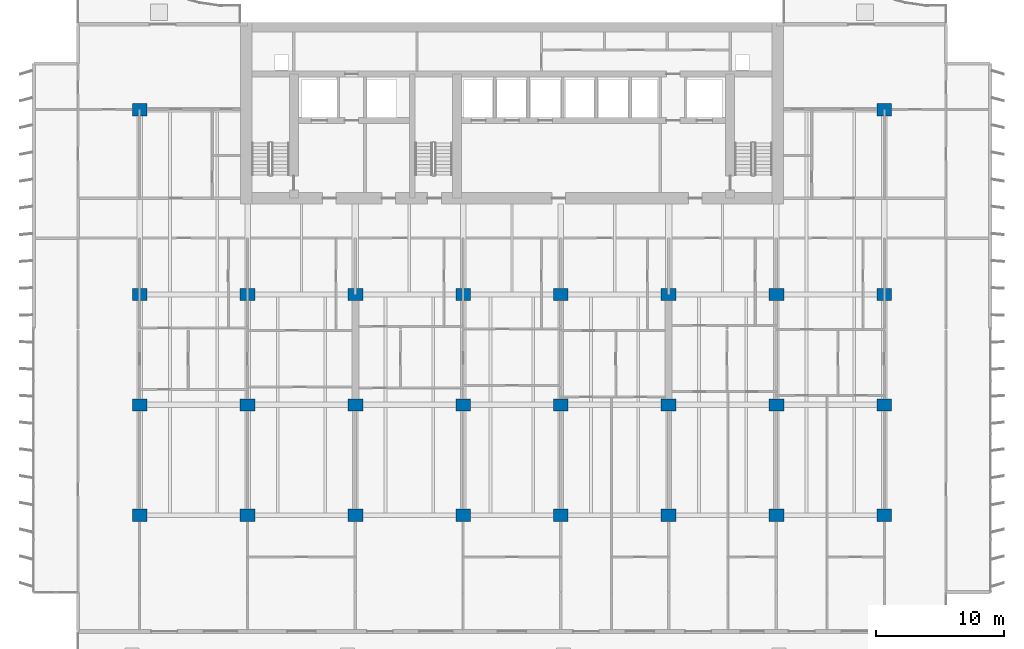
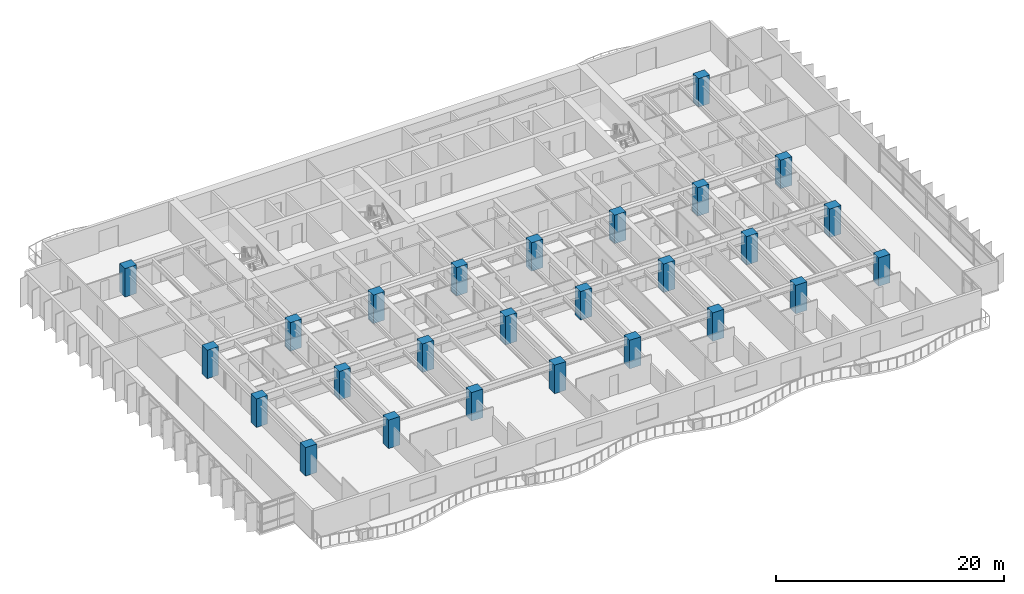
# One storey, part 1 of 18: 26 columns.
"""IFC4 building model written with IfcOpenShell, lengths in metres."""

from ifc_helpers import new_model, si_unit, direction, frame, origin, origin_2d, place, context, subcontext, project, spatial, rectangle, extrude, material, material_profile, profile_set, type_object, element, save


model = new_model("IFC4")

# Units and contexts
model_context = context("Model", 3, precision=1e-05, world=origin(), true_north=direction((0.0, 1.0)))
body_context = subcontext(model_context, "Body", "Model", "MODEL_VIEW")
ifc_project = project(units=[si_unit("LENGTHUNIT", "METRE"), si_unit("AREAUNIT", "SQUARE_METRE"), si_unit("VOLUMEUNIT", "CUBIC_METRE"), si_unit("PLANEANGLEUNIT", "RADIAN"), si_unit("MASSUNIT", "GRAM", prefix="KILO")], contexts=[model_context])

# Site, building, storey
site_placement = place(None, origin())
site = spatial("IfcSite", under=ifc_project, at=site_placement, CompositionType="ELEMENT")
building_placement = place(site_placement, origin())
building = spatial("IfcBuilding", under=site, at=building_placement, Name="Caelmar Bay Residences", CompositionType="ELEMENT")
storey_placement = place(building_placement, frame((0.0, 0.0, 56.39990234375)))
storey = spatial("IfcBuildingStorey", under=building, at=storey_placement, Name="L14", CompositionType="ELEMENT", Elevation=56.39990234375)

# Columns
ifc_material = material(Name="Concrete f'c 70 MPa (10,000 psi)", Category="concrete")
ifc_material_profile = material_profile(ifc_material, rectangle(XDim=1.14990234375, YDim=0.949951171875, at=origin_2d()), Name="RC-COL-1150X950")
ifc_profile_set = profile_set([ifc_material_profile], Name="Concrete f'c 70 MPa (10,000 psi)")
column_type = type_object("IfcColumnType", Name="COL-RC-1150X950", PredefinedType="COLUMN", material=ifc_profile_set)
for number, where, z_axis, x_axis, name in (
    (1, (9.89990234375, 12.199951171875, 0.0), (0.0, 0.0, 1.0), (1.0, 0.0, 0.0), "L14 Column (9.90,12.20)"),
    (2, (18.300048828125, 12.199951171875, 0.0), (0.0, 0.0, 1.0), (1.0, 0.0, 0.0), "L14 Column (18.30,12.20)"),
    (3, (26.699951171875, 12.199951171875, 0.0), (0.0, 0.0, 1.0), (1.0, 0.0, 0.0), "L14 Column (26.70,12.20)"),
    (4, (35.10009765625, 12.199951171875, 0.0), (0.0, 0.0, 1.0), (1.0, 0.0, 0.0), "L14 Column (35.10,12.20)"),
    (5, (42.699951171875, 12.199951171875, 0.0), (0.0, 0.0, 1.0), (1.0, 0.0, 0.0), "L14 Column (42.70,12.20)"),
    (6, (51.10009765625, 12.199951171875, 0.0), (0.0, 0.0, 1.0), (1.0, 0.0, 0.0), "L14 Column (51.10,12.20)"),
    (7, (59.5, 12.199951171875, 0.0), (0.0, 0.0, 1.0), (1.0, 0.0, 0.0), "L14 Column (59.50,12.20)"),
    (8, (67.89990234375, 12.199951171875, 0.0), (0.0, 0.0, 1.0), (1.0, 0.0, 0.0), "L14 Column (67.90,12.20)"),
    (9, (9.89990234375, 20.800048828125, 0.0), (0.0, 0.0, 1.0), (1.0, 0.0, 0.0), "L14 Column (9.90,20.80)"),
    (10, (18.300048828125, 20.800048828125, 0.0), (0.0, 0.0, 1.0), (1.0, 0.0, 0.0), "L14 Column (18.30,20.80)"),
    (11, (26.699951171875, 20.800048828125, 0.0), (0.0, 0.0, 1.0), (1.0, 0.0, 0.0), "L14 Column (26.70,20.80)"),
    (12, (35.10009765625, 20.800048828125, 0.0), (0.0, 0.0, 1.0), (1.0, 0.0, 0.0), "L14 Column (35.10,20.80)"),
    (13, (42.699951171875, 20.800048828125, 0.0), (0.0, 0.0, 1.0), (1.0, 0.0, 0.0), "L14 Column (42.70,20.80)"),
    (14, (51.10009765625, 20.800048828125, 0.0), (0.0, 0.0, 1.0), (1.0, 0.0, 0.0), "L14 Column (51.10,20.80)"),
    (15, (59.5, 20.800048828125, 0.0), (0.0, 0.0, 1.0), (1.0, 0.0, 0.0), "L14 Column (59.50,20.80)"),
    (16, (67.89990234375, 20.800048828125, 0.0), (0.0, 0.0, 1.0), (1.0, 0.0, 0.0), "L14 Column (67.90,20.80)"),
    (17, (9.89990234375, 29.39990234375, 0.0), (0.0, 0.0, 1.0), (1.0, 0.0, 0.0), "L14 Column (9.90,29.40)"),
    (18, (18.300048828125, 29.39990234375, 0.0), (0.0, 0.0, 1.0), (1.0, 0.0, 0.0), "L14 Column (18.30,29.40)"),
    (19, (26.699951171875, 29.39990234375, 0.0), (0.0, 0.0, 1.0), (1.0, 0.0, 0.0), "L14 Column (26.70,29.40)"),
    (20, (35.10009765625, 29.39990234375, 0.0), (0.0, 0.0, 1.0), (1.0, 0.0, 0.0), "L14 Column (35.10,29.40)"),
    (21, (42.699951171875, 29.39990234375, 0.0), (0.0, 0.0, 1.0), (1.0, 0.0, 0.0), "L14 Column (42.70,29.40)"),
    (22, (51.10009765625, 29.39990234375, 0.0), (0.0, 0.0, 1.0), (1.0, 0.0, 0.0), "L14 Column (51.10,29.40)"),
    (23, (59.5, 29.39990234375, 0.0), (0.0, 0.0, 1.0), (1.0, 0.0, 0.0), "L14 Column (59.50,29.40)"),
    (24, (67.89990234375, 29.39990234375, 0.0), (0.0, 0.0, 1.0), (1.0, 0.0, 0.0), "L14 Column (67.90,29.40)"),
    (25, (9.89990234375, 43.800048828125, 0.0), (0.0, 0.0, 1.0), (1.0, 0.0, 0.0), "L14 Column (9.90,43.80)"),
    (26, (67.89990234375, 43.800048828125, 0.0), (0.0, 0.0, 1.0), (1.0, 0.0, 0.0), "L14 Column (67.90,43.80)"),
):
    element("IfcColumn", number, at=place(storey_placement, frame(where, z_axis=z_axis, x_axis=x_axis)), inside=storey, type_object=column_type, Name=name, PredefinedType="COLUMN", context=body_context, shape_type="SweptSolid", body=[
        extrude(rectangle(XDim=1.14990234375, YDim=0.949951171875, at=origin_2d()), origin(), (0.0, 0.0, 1.0), 3.050048828125),
    ])

save(model, "model.ifc")
